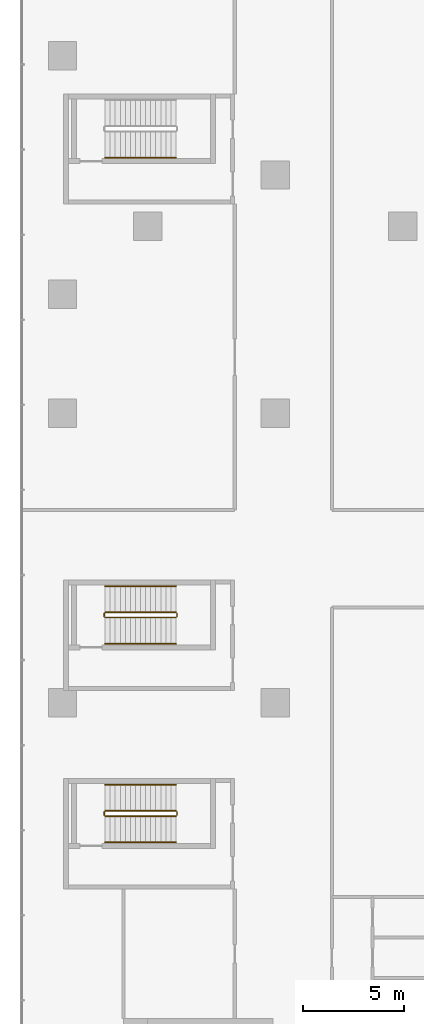
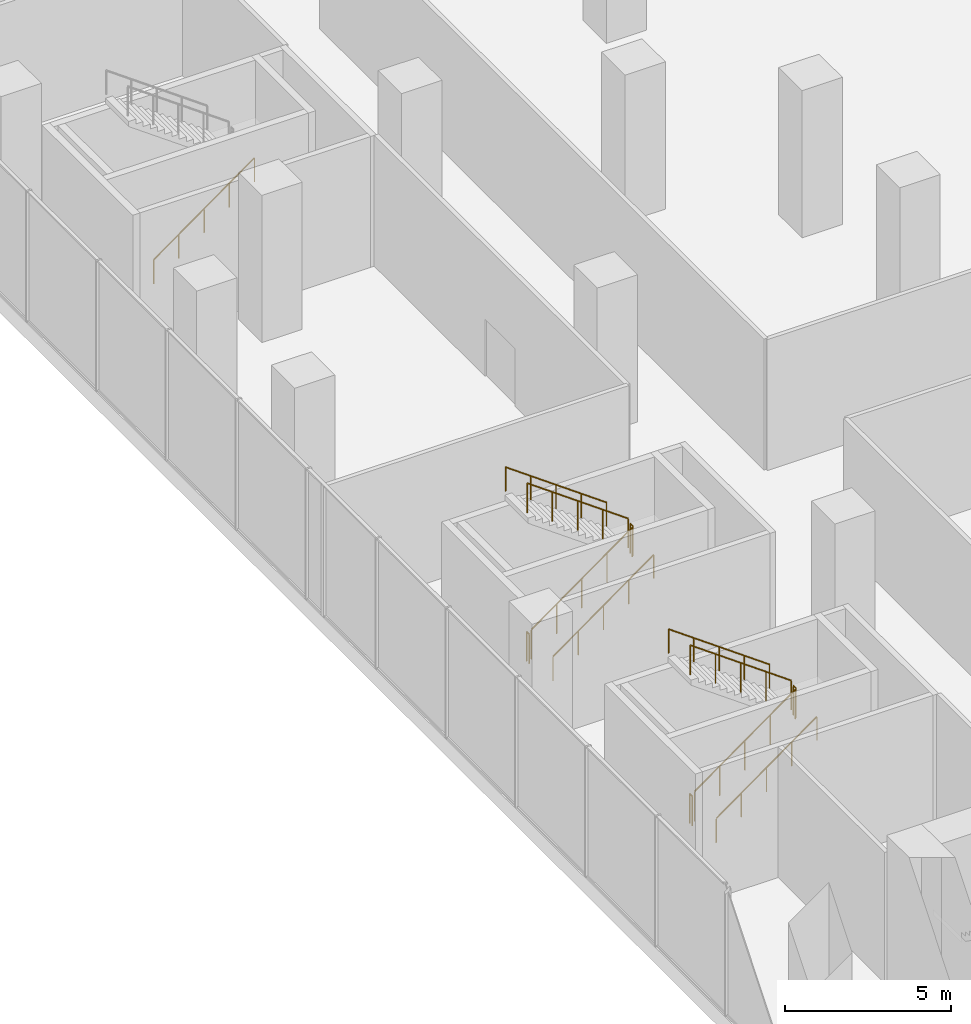
# One storey, part 21 of 22: 13 railings.
"""IFC4 building model written with IfcOpenShell, lengths in metres."""

from ifc_helpers import new_model, si_unit, direction, frame, origin, origin_2d, place, context, subcontext, project, spatial, circle, extrude, source, transform, mapped, material, type_object, element, save


model = new_model("IFC4")

# Units and contexts
model_context = context("Model", 3, precision=1e-05, world=origin(), true_north=direction((0.0, 1.0)))
body_context = subcontext(model_context, "Body", "Model", "MODEL_VIEW")
ifc_project = project(units=[si_unit("LENGTHUNIT", "METRE"), si_unit("AREAUNIT", "SQUARE_METRE"), si_unit("VOLUMEUNIT", "CUBIC_METRE"), si_unit("PLANEANGLEUNIT", "RADIAN"), si_unit("MASSUNIT", "GRAM", prefix="KILO")], contexts=[model_context])

# Site, building, storey
site_placement = place(None, origin())
site = spatial("IfcSite", under=ifc_project, at=site_placement, CompositionType="ELEMENT")
building_placement = place(site_placement, origin())
building = spatial("IfcBuilding", under=site, at=building_placement, Name="Aurelian Terraces", CompositionType="ELEMENT")
storey_placement = place(building_placement, frame((0.0, 0.0, 7.5)))
storey = spatial("IfcBuildingStorey", under=building, at=storey_placement, Name="L01", CompositionType="ELEMENT", Elevation=7.5)

# Railings
ifc_material = material(Name="Stainless steel", Category="steel")
railing_type_1 = type_object("IfcRailingType", Name="Stair guard 1100", PredefinedType="GUARDRAIL", material=ifc_material)
railing_1_placement = place(storey_placement, frame((2.1, 42.0, 0.18)))
element("IfcRailing", 1, at=railing_1_placement, inside=storey, type_object=railing_type_1, Name="L01 S3 stair guard 1", PredefinedType="GUARDRAIL", context=body_context, shape_type="SweptSolid", body=[
    extrude(circle(Radius=0.024, at=origin_2d()), frame((0.0, 0.0, 1.076), z_axis=(0.811534341451, 0.0, 0.584304725845), x_axis=(0.0, 1.0, 0.0)), (0.0, 0.0, 1.0), 4.3128),
    extrude(circle(Radius=0.021, at=origin_2d()), origin(), (0.0, 0.0, 1.0), 1.052),
    extrude(circle(Radius=0.021, at=origin_2d()), frame((0.875, 0.0, 0.63)), (0.0, 0.0, 1.0), 1.052),
    extrude(circle(Radius=0.021, at=origin_2d()), frame((1.75, 0.0, 1.26)), (0.0, 0.0, 1.0), 1.052),
    extrude(circle(Radius=0.021, at=origin_2d()), frame((2.625, 0.0, 1.89)), (0.0, 0.0, 1.0), 1.052),
    extrude(circle(Radius=0.021, at=origin_2d()), frame((3.5, 0.0, 2.52)), (0.0, 0.0, 1.0), 1.052),
])
railing_2_placement = place(storey_placement, frame((5.6, 42.25, 2.88)))
element("IfcRailing", 2, at=railing_2_placement, inside=storey, type_object=railing_type_1, Name="L01 S3 stair guard 3", PredefinedType="GUARDRAIL", context=body_context, shape_type="SweptSolid", body=[
    extrude(circle(Radius=0.024, at=origin_2d()), frame((0.0, 0.0, 1.076), z_axis=(-0.811534341451, 0.0, 0.584304725845), x_axis=(0.0, -1.0, 0.0)), (0.0, 0.0, 1.0), 4.3128),
    extrude(circle(Radius=0.021, at=origin_2d()), origin(), (0.0, 0.0, 1.0), 1.052),
    extrude(circle(Radius=0.021, at=origin_2d()), frame((-0.875, 0.0, 0.63)), (0.0, 0.0, 1.0), 1.052),
    extrude(circle(Radius=0.021, at=origin_2d()), frame((-1.75, 0.0, 1.26)), (0.0, 0.0, 1.0), 1.052),
    extrude(circle(Radius=0.021, at=origin_2d()), frame((-2.625, 0.0, 1.89)), (0.0, 0.0, 1.0), 1.052),
    extrude(circle(Radius=0.021, at=origin_2d()), frame((-3.5, 0.0, 2.52)), (0.0, 0.0, 1.0), 1.052),
])
railing_type_2 = type_object("IfcRailingType", Name="Stair handrail", PredefinedType="HANDRAIL", material=ifc_material)
railing_3_placement = place(storey_placement, frame((2.1, 40.7, 0.18)))
element("IfcRailing", 3, at=railing_3_placement, inside=storey, type_object=railing_type_2, Name="L01 S3 stair handrail 1", PredefinedType="HANDRAIL", context=body_context, shape_type="SweptSolid", body=[
    extrude(circle(Radius=0.024, at=origin_2d()), frame((0.0, 0.0, 0.876), z_axis=(0.811534341451, 0.0, 0.584304725845), x_axis=(0.0, 1.0, 0.0)), (0.0, 0.0, 1.0), 4.3128),
    extrude(circle(Radius=0.021, at=origin_2d()), origin(), (0.0, 0.0, 1.0), 0.852),
    extrude(circle(Radius=0.021, at=origin_2d()), frame((0.875, 0.0, 0.63)), (0.0, 0.0, 1.0), 0.852),
    extrude(circle(Radius=0.021, at=origin_2d()), frame((1.75, 0.0, 1.26)), (0.0, 0.0, 1.0), 0.852),
    extrude(circle(Radius=0.021, at=origin_2d()), frame((2.625, 0.0, 1.89)), (0.0, 0.0, 1.0), 0.852),
    extrude(circle(Radius=0.021, at=origin_2d()), frame((3.5, 0.0, 2.52)), (0.0, 0.0, 1.0), 0.852),
])
railing_4_placement = place(storey_placement, frame((5.6, 43.55, 2.88)))
element("IfcRailing", 4, at=railing_4_placement, inside=storey, type_object=railing_type_2, Name="L01 S3 stair handrail 2", PredefinedType="HANDRAIL", context=body_context, shape_type="SweptSolid", body=[
    extrude(circle(Radius=0.024, at=origin_2d()), frame((0.0, 0.0, 0.876), z_axis=(-0.811534341451, 0.0, 0.584304725845), x_axis=(0.0, -1.0, 0.0)), (0.0, 0.0, 1.0), 4.3128),
    extrude(circle(Radius=0.021, at=origin_2d()), origin(), (0.0, 0.0, 1.0), 0.852),
    extrude(circle(Radius=0.021, at=origin_2d()), frame((-0.875, 0.0, 0.63)), (0.0, 0.0, 1.0), 0.852),
    extrude(circle(Radius=0.021, at=origin_2d()), frame((-1.75, 0.0, 1.26)), (0.0, 0.0, 1.0), 0.852),
    extrude(circle(Radius=0.021, at=origin_2d()), frame((-2.625, 0.0, 1.89)), (0.0, 0.0, 1.0), 0.852),
    extrude(circle(Radius=0.021, at=origin_2d()), frame((-3.5, 0.0, 2.52)), (0.0, 0.0, 1.0), 0.852),
])
shared_shape_1 = source(origin(), body_context, "Body", "SweptSolid", [
    extrude(circle(Radius=0.024, at=origin_2d()), frame((0.0, 0.0, 1.076), z_axis=(0.0, 1.0, 0.0), x_axis=(-1.0, 0.0, 0.0)), (0.0, 0.0, 1.0), 0.15),
    extrude(circle(Radius=0.021, at=origin_2d()), origin(), (0.0, 0.0, 1.0), 1.052),
    extrude(circle(Radius=0.021, at=origin_2d()), frame((0.0, 0.15, 0.0)), (0.0, 0.0, 1.0), 1.052),
])
for number, where, name in (
    (5, (5.65, 42.05, 2.7), "L01 S3 stair guard 2"),
    (6, (2.05, 42.05, 0.0), "L01 S3 stair guard 4"),
    (7, (5.65, 32.25, 2.7), "L01 S4 stair guard 2"),
    (8, (2.05, 32.25, 0.0), "L01 S4 stair guard 4"),
):
    element("IfcRailing", number, at=place(storey_placement, frame(where)), inside=storey, type_object=railing_type_1, Name=name, PredefinedType="GUARDRAIL", context=body_context, shape_type="MappedRepresentation", body=[
        mapped(shared_shape_1, transform((0.0, 0.0, 0.0), scale=1.0)),
    ])
shared_shape_2 = source(origin(), body_context, "Body", "SweptSolid", [
    extrude(circle(Radius=0.024, at=origin_2d()), frame((0.0, 0.0, 1.076), z_axis=(0.811534341451, 0.0, 0.584304725845), x_axis=(0.0, 1.0, 0.0)), (0.0, 0.0, 1.0), 4.3128),
    extrude(circle(Radius=0.021, at=origin_2d()), origin(), (0.0, 0.0, 1.0), 1.052),
    extrude(circle(Radius=0.021, at=origin_2d()), frame((0.875, 0.0, 0.63)), (0.0, 0.0, 1.0), 1.052),
    extrude(circle(Radius=0.021, at=origin_2d()), frame((1.75, 0.0, 1.26)), (0.0, 0.0, 1.0), 1.052),
    extrude(circle(Radius=0.021, at=origin_2d()), frame((2.625, 0.0, 1.89)), (0.0, 0.0, 1.0), 1.052),
    extrude(circle(Radius=0.021, at=origin_2d()), frame((3.5, 0.0, 2.52)), (0.0, 0.0, 1.0), 1.052),
])
railing_5_placement = place(storey_placement, frame((2.1, 32.2, 0.18)))
element("IfcRailing", 9, at=railing_5_placement, inside=storey, type_object=railing_type_1, Name="L01 S4 stair guard 1", PredefinedType="GUARDRAIL", context=body_context, shape_type="MappedRepresentation", body=[
    mapped(shared_shape_2, transform((0.0, 0.0, 0.0), scale=1.0)),
])
shared_shape_3 = source(origin(), body_context, "Body", "SweptSolid", [
    extrude(circle(Radius=0.024, at=origin_2d()), frame((0.0, 0.0, 1.076), z_axis=(-0.811534341451, 0.0, 0.584304725845), x_axis=(0.0, -1.0, 0.0)), (0.0, 0.0, 1.0), 4.3128),
    extrude(circle(Radius=0.021, at=origin_2d()), origin(), (0.0, 0.0, 1.0), 1.052),
    extrude(circle(Radius=0.021, at=origin_2d()), frame((-0.875, 0.0, 0.63)), (0.0, 0.0, 1.0), 1.052),
    extrude(circle(Radius=0.021, at=origin_2d()), frame((-1.75, 0.0, 1.26)), (0.0, 0.0, 1.0), 1.052),
    extrude(circle(Radius=0.021, at=origin_2d()), frame((-2.625, 0.0, 1.89)), (0.0, 0.0, 1.0), 1.052),
    extrude(circle(Radius=0.021, at=origin_2d()), frame((-3.5, 0.0, 2.52)), (0.0, 0.0, 1.0), 1.052),
])
railing_6_placement = place(storey_placement, frame((5.6, 32.45, 2.88)))
element("IfcRailing", 10, at=railing_6_placement, inside=storey, type_object=railing_type_1, Name="L01 S4 stair guard 3", PredefinedType="GUARDRAIL", context=body_context, shape_type="MappedRepresentation", body=[
    mapped(shared_shape_3, transform((0.0, 0.0, 0.0), scale=1.0)),
])
shared_shape_4 = source(origin(), body_context, "Body", "SweptSolid", [
    extrude(circle(Radius=0.024, at=origin_2d()), frame((0.0, 0.0, 0.876), z_axis=(0.811534341451, 0.0, 0.584304725845), x_axis=(0.0, 1.0, 0.0)), (0.0, 0.0, 1.0), 4.3128),
    extrude(circle(Radius=0.021, at=origin_2d()), origin(), (0.0, 0.0, 1.0), 0.852),
    extrude(circle(Radius=0.021, at=origin_2d()), frame((0.875, 0.0, 0.63)), (0.0, 0.0, 1.0), 0.852),
    extrude(circle(Radius=0.021, at=origin_2d()), frame((1.75, 0.0, 1.26)), (0.0, 0.0, 1.0), 0.852),
    extrude(circle(Radius=0.021, at=origin_2d()), frame((2.625, 0.0, 1.89)), (0.0, 0.0, 1.0), 0.852),
    extrude(circle(Radius=0.021, at=origin_2d()), frame((3.5, 0.0, 2.52)), (0.0, 0.0, 1.0), 0.852),
])
for number, where, name in (
    (11, (2.1, 30.9, 0.18), "L01 S4 stair handrail 1"),
    (12, (2.1, 64.7, 0.18), "L01 S5 stair handrail 1"),
):
    element("IfcRailing", number, at=place(storey_placement, frame(where)), inside=storey, type_object=railing_type_2, Name=name, PredefinedType="HANDRAIL", context=body_context, shape_type="MappedRepresentation", body=[
        mapped(shared_shape_4, transform((0.0, 0.0, 0.0), scale=1.0)),
    ])
shared_shape_5 = source(origin(), body_context, "Body", "SweptSolid", [
    extrude(circle(Radius=0.024, at=origin_2d()), frame((0.0, 0.0, 0.876), z_axis=(-0.811534341451, 0.0, 0.584304725845), x_axis=(0.0, -1.0, 0.0)), (0.0, 0.0, 1.0), 4.3128),
    extrude(circle(Radius=0.021, at=origin_2d()), origin(), (0.0, 0.0, 1.0), 0.852),
    extrude(circle(Radius=0.021, at=origin_2d()), frame((-0.875, 0.0, 0.63)), (0.0, 0.0, 1.0), 0.852),
    extrude(circle(Radius=0.021, at=origin_2d()), frame((-1.75, 0.0, 1.26)), (0.0, 0.0, 1.0), 0.852),
    extrude(circle(Radius=0.021, at=origin_2d()), frame((-2.625, 0.0, 1.89)), (0.0, 0.0, 1.0), 0.852),
    extrude(circle(Radius=0.021, at=origin_2d()), frame((-3.5, 0.0, 2.52)), (0.0, 0.0, 1.0), 0.852),
])
railing_7_placement = place(storey_placement, frame((5.6, 33.75, 2.88)))
element("IfcRailing", 13, at=railing_7_placement, inside=storey, type_object=railing_type_2, Name="L01 S4 stair handrail 2", PredefinedType="HANDRAIL", context=body_context, shape_type="MappedRepresentation", body=[
    mapped(shared_shape_5, transform((0.0, 0.0, 0.0), scale=1.0)),
])

save(model, "model.ifc")
